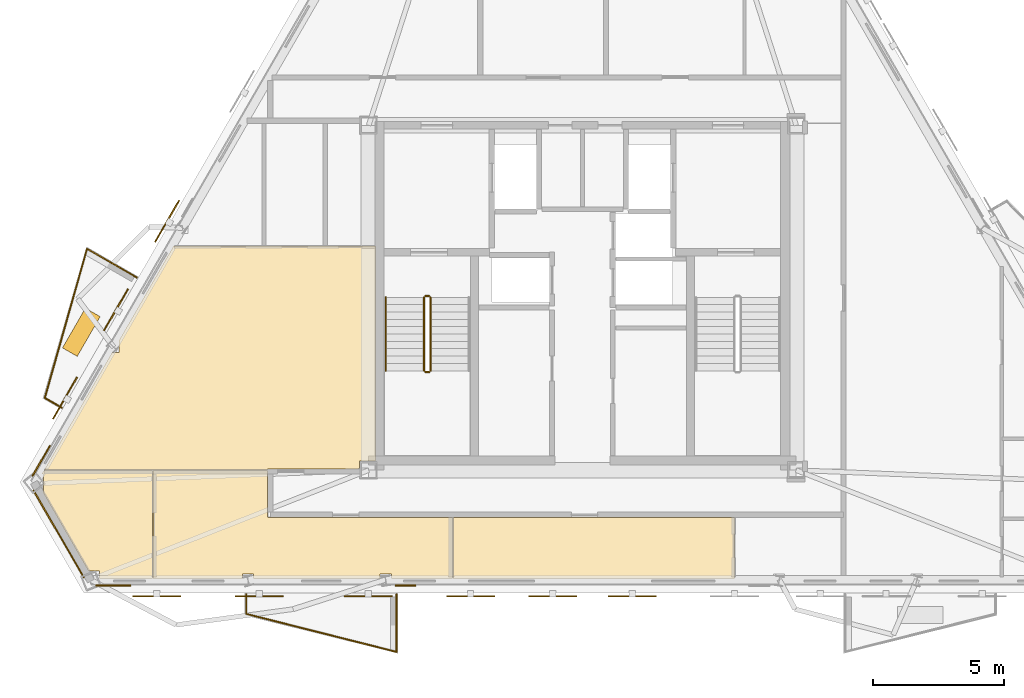
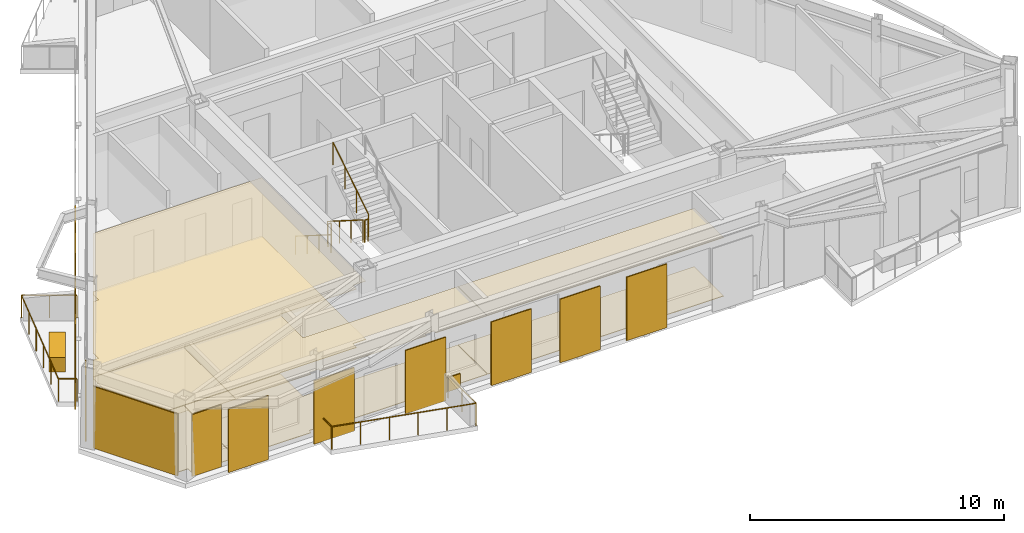
# One storey, part 7 of 9: 13 coverings, 11 railings, 9 shading devices.
"""IFC4 building model written with IfcOpenShell, lengths in metres."""

from ifc_helpers import new_model, si_unit, direction, frame, origin, origin_2d, place, context, subcontext, project, spatial, polyline, rectangle, circle, outline, extrude, material, layer, layer_set, type_object, element, save


model = new_model("IFC4")

# Units and contexts
model_context = context("Model", 3, precision=1e-05, world=origin(), true_north=direction((0.0, 1.0)))
body_context = subcontext(model_context, "Body", "Model", "MODEL_VIEW")
ifc_project = project(units=[si_unit("LENGTHUNIT", "METRE"), si_unit("AREAUNIT", "SQUARE_METRE"), si_unit("VOLUMEUNIT", "CUBIC_METRE"), si_unit("PLANEANGLEUNIT", "RADIAN"), si_unit("MASSUNIT", "GRAM", prefix="KILO")], contexts=[model_context])

# Site, building, storey
site_placement = place(None, origin())
site = spatial("IfcSite", under=ifc_project, at=site_placement, CompositionType="ELEMENT")
building_placement = place(site_placement, origin())
building = spatial("IfcBuilding", under=site, at=building_placement, Name="Oramaril Tower", CompositionType="ELEMENT")
storey_placement = place(building_placement, frame((0.0, 0.0, 285.0)))
storey = spatial("IfcBuildingStorey", under=building, at=storey_placement, Name="L75", CompositionType="ELEMENT", Elevation=285.0)

# Coverings
ifc_material_1 = material(Name="Mineral Fibre Acoustic Ceiling")
ifc_layer_1 = layer(ifc_material_1, 0.02001953125)
ifc_layer_set_1 = layer_set([ifc_layer_1], Name="CVT-CEIL")
covering_type_1 = type_object("IfcCoveringType", Name="CVT-CEIL", PredefinedType="CEILING", material=ifc_layer_set_1)
covering_1_placement = place(storey_placement, frame((0.0, 0.0, 2.81201171875)))
element("IfcCovering", 1, at=covering_1_placement, inside=storey, type_object=covering_type_1, Name="L75 Acoustic Suspended Ceiling 5", PredefinedType="CEILING", context=body_context, shape_type="SweptSolid", body=[
    extrude(outline(polyline([(32.5419921875, 6.877685546875), (30.210205078125, 6.877685546875), (30.210205078125, 7.033935546875), (29.788330078125, 7.033935546875), (29.788330078125, 6.877685546875), (24.962890625, 6.877685546875), (24.962890625, 7.033935546875), (24.53466796875, 7.033935546875), (24.53466796875, 6.877685546875), (21.124267578125, 6.877685546875), (21.124267578125, 10.991943359375), (25.5, 10.991943359375), (25.5, 9.219970703125), (25.5, 9.218017578125), (25.50048828125, 9.216064453125), (25.5009765625, 9.214111328125), (25.50146484375, 9.21240234375), (25.50244140625, 9.210693359375), (25.50341796875, 9.208984375), (25.50439453125, 9.207275390625), (25.505859375, 9.205810546875), (25.50732421875, 9.20458984375), (25.5087890625, 9.203369140625), (25.510498046875, 9.202392578125), (25.51220703125, 9.201416015625), (25.51416015625, 9.200927734375), (25.51611328125, 9.200439453125), (25.51806640625, 9.2001953125), (25.52001953125, 9.199951171875), (32.5419921875, 9.199951171875), (32.5419921875, 6.877685546875)])), origin(), (0.0, 0.0, 1.0), 0.02001953125),
])
covering_2_placement = place(storey_placement, frame((0.0, 0.0, 2.81201171875)))
element("IfcCovering", 2, at=covering_2_placement, inside=storey, type_object=covering_type_1, Name="L75 Acoustic Suspended Ceiling 6", PredefinedType="CEILING", context=body_context, shape_type="SweptSolid", body=[
    extrude(outline(polyline([(19.07958984375, 6.877685546875), (19.07958984375, 7.1474609375), (18.666259765625, 7.1474609375), (16.9228515625, 10.167236328125), (16.944091796875, 10.167236328125), (16.944091796875, 10.85546875), (16.89501953125, 10.85546875), (16.973876953125, 10.991943359375), (21.104248046875, 10.991943359375), (21.104248046875, 6.877685546875), (19.07958984375, 6.877685546875)])), origin(), (0.0, 0.0, 1.0), 0.02001953125),
])
covering_3_placement = place(storey_placement, frame((0.0, 0.0, 2.81201171875)))
element("IfcCovering", 3, at=covering_3_placement, inside=storey, type_object=covering_type_1, Name="L75 Acoustic Suspended Ceiling 7", PredefinedType="CEILING", context=body_context, shape_type="SweptSolid", body=[
    extrude(outline(polyline([(32.56201171875, 6.877685546875), (32.56201171875, 9.199951171875), (43.305908203125, 9.199951171875), (43.305908203125, 6.877685546875), (32.56201171875, 6.877685546875)])), origin(), (0.0, 0.0, 1.0), 0.02001953125),
])
covering_4_placement = place(storey_placement, frame((0.0, 0.0, 2.81201171875)))
element("IfcCovering", 4, at=covering_4_placement, inside=storey, type_object=covering_type_1, Name="L75 Acoustic Suspended Ceiling 9", PredefinedType="CEILING", context=body_context, shape_type="SweptSolid", body=[
    extrude(outline(polyline([(19.565185546875, 15.48046875), (19.832763671875, 15.48046875), (19.832763671875, 15.935546875), (19.827880859375, 15.935546875), (21.9140625, 19.548828125), (29.60009765625, 19.548828125), (29.60009765625, 11.344970703125), (29.0048828125, 11.344970703125), (29.0048828125, 11.050048828125), (25.52001953125, 11.050048828125), (25.51806640625, 11.0498046875), (25.51611328125, 11.049560546875), (25.51416015625, 11.049072265625), (25.51220703125, 11.048583984375), (25.510498046875, 11.047607421875), (25.5087890625, 11.046630859375), (25.50732421875, 11.04541015625), (25.505859375, 11.044189453125), (25.50439453125, 11.042724609375), (25.50341796875, 11.041015625), (25.50244140625, 11.039306640625), (25.50146484375, 11.03759765625), (25.5009765625, 11.035888671875), (25.50048828125, 11.033935546875), (25.5, 11.031982421875), (25.5, 11.030029296875), (25.5, 11.011962890625), (21.124267578125, 11.011962890625), (21.122314453125, 11.011962890625), (21.120361328125, 11.01171875), (21.118408203125, 11.010986328125), (21.11669921875, 11.010498046875), (21.114990234375, 11.009521484375), (21.1142578125, 11.00927734375), (21.11376953125, 11.009521484375), (21.112060546875, 11.010498046875), (21.110107421875, 11.010986328125), (21.108154296875, 11.01171875), (21.106201171875, 11.011962890625), (21.104248046875, 11.011962890625), (16.9853515625, 11.011962890625), (19.565185546875, 15.48046875)])), origin(), (0.0, 0.0, 1.0), 0.02001953125),
])
ifc_material_2 = material(Name="Warm Cream Limestone", Category="masonry")
ifc_layer_2 = layer(ifc_material_2, 0.050048828125)
ifc_layer_set_2 = layer_set([ifc_layer_2], Name="CVT-CLD")
covering_type_2 = type_object("IfcCoveringType", Name="CVT-CLD", PredefinedType="CLADDING", material=ifc_layer_set_2)
covering_5_placement = place(storey_placement, frame((17.527099609375, 8.568603515625, 0.0400390625), z_axis=(0.0, 0.0, 1.0), x_axis=(0.499984884929, -0.866034130299, 0.0)))
element("IfcCovering", 5, at=covering_5_placement, inside=storey, type_object=covering_type_2, Name="L75 Warm Cream Limestone Cladding", PredefinedType="CLADDING", context=body_context, shape_type="SweptSolid", body=[
    extrude(rectangle(XDim=3.848388671875, YDim=0.050048828125, at=origin_2d()), origin(), (0.0, 0.0, 1.0), 2.97802734375),
])
covering_6_placement = place(storey_placement, frame((19.609619140625, 6.601806640625, 0.0400390625), z_axis=(0.0, 0.0, 1.0), x_axis=(1.0, 0.0, 0.0)))
element("IfcCovering", 6, at=covering_6_placement, inside=storey, type_object=covering_type_2, Name="L75 Warm Cream Limestone Cladding", PredefinedType="CLADDING", context=body_context, shape_type="SweptSolid", body=[
    extrude(rectangle(XDim=1.35009765625, YDim=0.050048828125, at=origin_2d()), origin(), (0.0, 0.0, 1.0), 2.97802734375),
])
covering_7_placement = place(storey_placement, frame((30.75341796875, 6.601806640625, 0.0400390625), z_axis=(0.0, 0.0, 1.0), x_axis=(1.0, 0.0, 0.0)))
element("IfcCovering", 7, at=covering_7_placement, inside=storey, type_object=covering_type_2, Name="L75 Warm Cream Limestone Spandrel Cladding", PredefinedType="CLADDING", context=body_context, shape_type="SweptSolid", body=[
    extrude(rectangle(XDim=0.800048828125, YDim=0.050048828125, at=origin_2d()), origin(), (0.0, 0.0, 1.0), 0.679931640625),
])
covering_8_placement = place(storey_placement, frame((16.864990234375, 11.355712890625, 0.0400390625), z_axis=(0.0, 0.0, 1.0), x_axis=(-0.5, -0.866025403784, 0.0)))
element("IfcCovering", 8, at=covering_8_placement, inside=storey, type_object=covering_type_2, Name="L75 Warm Cream Limestone Cladding", PredefinedType="CLADDING", context=body_context, shape_type="SweptSolid", body=[
    extrude(rectangle(XDim=1.35009765625, YDim=0.050048828125, at=origin_2d()), origin(), (0.0, 0.0, 1.0), 2.97802734375),
])
covering_9_placement = place(storey_placement, frame((18.392333984375, 16.25830078125, 0.0), z_axis=(0.0, 0.0, 1.0), x_axis=(-0.500001511499, -0.866024531118, 0.0)))
element("IfcCovering", 9, at=covering_9_placement, inside=storey, type_object=covering_type_2, Name="L75 Structural Tree Planter Box L75-BAL-NW2", PredefinedType="CLADDING", context=body_context, shape_type="SweptSolid", body=[
    extrude(rectangle(XDim=1.75, YDim=0.64990234375, at=origin_2d()), origin(), (0.0, 0.0, 1.0), 0.699951171875),
])
ifc_material_3 = material(Name="Honed Quartzite Stone Flooring", Category="masonry")
ifc_layer_3 = layer(ifc_material_3, 0.02490234375)
ifc_layer_set_3 = layer_set([ifc_layer_3], Name="CVT-FLR")
covering_type_3 = type_object("IfcCoveringType", Name="CVT-FLR", PredefinedType="FLOORING", material=ifc_layer_set_3)
covering_10_placement = place(storey_placement, origin())
element("IfcCovering", 10, at=covering_10_placement, inside=storey, type_object=covering_type_3, Name="L75 Honed Stone Floor Finish 5", PredefinedType="FLOORING", context=body_context, shape_type="SweptSolid", body=[
    extrude(outline(polyline([(32.5419921875, 6.877685546875), (30.210205078125, 6.877685546875), (30.210205078125, 7.033935546875), (29.788330078125, 7.033935546875), (29.788330078125, 6.877685546875), (24.962890625, 6.877685546875), (24.962890625, 7.033935546875), (24.53466796875, 7.033935546875), (24.53466796875, 6.877685546875), (21.124267578125, 6.877685546875), (21.124267578125, 10.991943359375), (25.5, 10.991943359375), (25.5, 9.219970703125), (25.5, 9.218017578125), (25.50048828125, 9.216064453125), (25.5009765625, 9.214111328125), (25.50146484375, 9.21240234375), (25.50244140625, 9.210693359375), (25.50341796875, 9.208984375), (25.50439453125, 9.207275390625), (25.505859375, 9.205810546875), (25.50732421875, 9.20458984375), (25.5087890625, 9.203369140625), (25.510498046875, 9.202392578125), (25.51220703125, 9.201416015625), (25.51416015625, 9.200927734375), (25.51611328125, 9.200439453125), (25.51806640625, 9.2001953125), (25.52001953125, 9.199951171875), (32.5419921875, 9.199951171875), (32.5419921875, 6.877685546875)])), origin(), (0.0, 0.0, 1.0), 0.02490234375),
])
covering_11_placement = place(storey_placement, origin())
element("IfcCovering", 11, at=covering_11_placement, inside=storey, type_object=covering_type_3, Name="L75 Honed Stone Floor Finish 6", PredefinedType="FLOORING", context=body_context, shape_type="SweptSolid", body=[
    extrude(outline(polyline([(19.07958984375, 6.877685546875), (19.07958984375, 7.1474609375), (18.666259765625, 7.1474609375), (16.9228515625, 10.167236328125), (16.944091796875, 10.167236328125), (16.944091796875, 10.85546875), (16.89501953125, 10.85546875), (16.973876953125, 10.991943359375), (21.104248046875, 10.991943359375), (21.104248046875, 6.877685546875), (19.07958984375, 6.877685546875)])), origin(), (0.0, 0.0, 1.0), 0.02490234375),
])
covering_12_placement = place(storey_placement, origin())
element("IfcCovering", 12, at=covering_12_placement, inside=storey, type_object=covering_type_3, Name="L75 Honed Stone Floor Finish 7", PredefinedType="FLOORING", context=body_context, shape_type="SweptSolid", body=[
    extrude(outline(polyline([(32.56201171875, 6.877685546875), (32.56201171875, 9.199951171875), (43.305908203125, 9.199951171875), (43.305908203125, 6.877685546875), (32.56201171875, 6.877685546875)])), origin(), (0.0, 0.0, 1.0), 0.02490234375),
])
covering_13_placement = place(storey_placement, origin())
element("IfcCovering", 13, at=covering_13_placement, inside=storey, type_object=covering_type_3, Name="L75 Honed Stone Floor Finish 9", PredefinedType="FLOORING", context=body_context, shape_type="SweptSolid", body=[
    extrude(outline(polyline([(19.565185546875, 15.48046875), (19.832763671875, 15.48046875), (19.832763671875, 15.935546875), (19.827880859375, 15.935546875), (21.9140625, 19.548828125), (29.60009765625, 19.548828125), (29.60009765625, 11.344970703125), (29.0048828125, 11.344970703125), (29.0048828125, 11.050048828125), (25.52001953125, 11.050048828125), (25.51806640625, 11.0498046875), (25.51611328125, 11.049560546875), (25.51416015625, 11.049072265625), (25.51220703125, 11.048583984375), (25.510498046875, 11.047607421875), (25.5087890625, 11.046630859375), (25.50732421875, 11.04541015625), (25.505859375, 11.044189453125), (25.50439453125, 11.042724609375), (25.50341796875, 11.041015625), (25.50244140625, 11.039306640625), (25.50146484375, 11.03759765625), (25.5009765625, 11.035888671875), (25.50048828125, 11.033935546875), (25.5, 11.031982421875), (25.5, 11.030029296875), (25.5, 11.011962890625), (21.124267578125, 11.011962890625), (21.122314453125, 11.011962890625), (21.120361328125, 11.01171875), (21.118408203125, 11.010986328125), (21.11669921875, 11.010498046875), (21.114990234375, 11.009521484375), (21.1142578125, 11.00927734375), (21.11376953125, 11.009521484375), (21.112060546875, 11.010498046875), (21.110107421875, 11.010986328125), (21.108154296875, 11.01171875), (21.106201171875, 11.011962890625), (21.104248046875, 11.011962890625), (16.9853515625, 11.011962890625), (19.565185546875, 15.48046875)])), origin(), (0.0, 0.0, 1.0), 0.02490234375),
])

# Railings
ifc_material_4 = material(Name="Stainless Steel 316L", Category="steel")
railing_type_1 = type_object("IfcRailingType", Name="RLT-GRD", PredefinedType="GUARDRAIL", material=ifc_material_4)
railing_1_placement = place(storey_placement, frame((30.408935546875, 6.26171875, 0.0)))
element("IfcRailing", 14, at=railing_1_placement, inside=storey, type_object=railing_type_1, Name="L75 Balcony Guardrail L75-BAL-S1.1", PredefinedType="GUARDRAIL", context=body_context, shape_type="SweptSolid", body=[
    extrude(circle(Radius=0.02392578125, at=origin_2d()), frame((0.0, 0.0, 1.076171875), z_axis=(0.0, -1.0, 0.0), x_axis=(1.0, 0.0, 0.0)), (0.0, 0.0, 1.0), 2.192138671875),
    extrude(circle(Radius=0.02099609375, at=origin_2d()), origin(), (0.0, 0.0, 1.0), 1.052001953125),
    extrude(circle(Radius=0.02099609375, at=origin_2d()), frame((0.0, -1.09619140625, 0.0)), (0.0, 0.0, 1.0), 1.052001953125),
    extrude(circle(Radius=0.02099609375, at=origin_2d()), frame((0.0, -2.192138671875, 0.0)), (0.0, 0.0, 1.0), 1.052001953125),
])
railing_2_placement = place(storey_placement, frame((30.408935546875, 4.069580078125, 0.0)))
element("IfcRailing", 15, at=railing_2_placement, inside=storey, type_object=railing_type_1, Name="L75 Balcony Guardrail L75-BAL-S1.2", PredefinedType="GUARDRAIL", context=body_context, shape_type="SweptSolid", body=[
    extrude(circle(Radius=0.02392578125, at=origin_2d()), frame((0.0, 0.0, 1.076171875), z_axis=(-0.969433787338, 0.245353076131, 0.0), x_axis=(-0.245353076131, -0.969433787338, 0.0)), (0.0, 0.0, 1.0), 5.91064453125),
    extrude(circle(Radius=0.02099609375, at=origin_2d()), origin(), (0.0, 0.0, 1.0), 1.052001953125),
    extrude(circle(Radius=0.02099609375, at=origin_2d()), frame((-1.14599609375, 0.2900390625, 0.0)), (0.0, 0.0, 1.0), 1.052001953125),
    extrude(circle(Radius=0.02099609375, at=origin_2d()), frame((-2.2919921875, 0.580078125, 0.0)), (0.0, 0.0, 1.0), 1.052001953125),
    extrude(circle(Radius=0.02099609375, at=origin_2d()), frame((-3.43798828125, 0.8701171875, 0.0)), (0.0, 0.0, 1.0), 1.052001953125),
    extrude(circle(Radius=0.02099609375, at=origin_2d()), frame((-4.583984375, 1.16015625, 0.0)), (0.0, 0.0, 1.0), 1.052001953125),
    extrude(circle(Radius=0.02099609375, at=origin_2d()), frame((-5.72998046875, 1.4501953125, 0.0)), (0.0, 0.0, 1.0), 1.052001953125),
])
railing_3_placement = place(storey_placement, frame((24.678955078125, 5.519775390625, 0.0)))
element("IfcRailing", 16, at=railing_3_placement, inside=storey, type_object=railing_type_1, Name="L75 Balcony Guardrail L75-BAL-S1.3", PredefinedType="GUARDRAIL", context=body_context, shape_type="SweptSolid", body=[
    extrude(circle(Radius=0.02392578125, at=origin_2d()), frame((0.0, 0.0, 1.076171875), z_axis=(0.0, 1.0, 0.0), x_axis=(-1.0, 0.0, 0.0)), (0.0, 0.0, 1.0), 0.741943359375),
    extrude(circle(Radius=0.02099609375, at=origin_2d()), origin(), (0.0, 0.0, 1.0), 1.052001953125),
    extrude(circle(Radius=0.02099609375, at=origin_2d()), frame((0.0, 0.741943359375, 0.0)), (0.0, 0.0, 1.0), 1.052001953125),
])
railing_4_placement = place(storey_placement, frame((17.642578125, 13.3828125, 0.0)))
element("IfcRailing", 17, at=railing_4_placement, inside=storey, type_object=railing_type_1, Name="L75 Balcony Guardrail L75-BAL-NW2.1", PredefinedType="GUARDRAIL", context=body_context, shape_type="SweptSolid", body=[
    extrude(circle(Radius=0.02392578125, at=origin_2d()), frame((0.0, 0.0, 1.076171875), z_axis=(-0.865884080729, 0.500244698863, 0.0), x_axis=(-0.500244698863, -0.865884080729, 0.0)), (0.0, 0.0, 1.0), 0.741943359375),
    extrude(circle(Radius=0.02099609375, at=origin_2d()), origin(), (0.0, 0.0, 1.0), 1.052001953125),
    extrude(circle(Radius=0.02099609375, at=origin_2d()), frame((-0.642333984375, 0.37109375, 0.0)), (0.0, 0.0, 1.0), 1.052001953125),
])
railing_5_placement = place(storey_placement, frame((17.000244140625, 13.75390625, 0.0)))
element("IfcRailing", 18, at=railing_5_placement, inside=storey, type_object=railing_type_1, Name="L75 Balcony Guardrail L75-BAL-NW2.2", PredefinedType="GUARDRAIL", context=body_context, shape_type="SweptSolid", body=[
    extrude(circle(Radius=0.02392578125, at=origin_2d()), frame((0.0, 0.0, 1.076171875), z_axis=(0.272259686627, 0.962223811303, 0.0), x_axis=(-0.962223811303, 0.272259686627, 0.0)), (0.0, 0.0, 1.0), 5.910400390625),
    extrude(circle(Radius=0.02099609375, at=origin_2d()), origin(), (0.0, 0.0, 1.0), 1.052001953125),
    extrude(circle(Radius=0.02099609375, at=origin_2d()), frame((0.32177734375, 1.137451171875, 0.0)), (0.0, 0.0, 1.0), 1.052001953125),
    extrude(circle(Radius=0.02099609375, at=origin_2d()), frame((0.6435546875, 2.27490234375, 0.0)), (0.0, 0.0, 1.0), 1.052001953125),
    extrude(circle(Radius=0.02099609375, at=origin_2d()), frame((0.965576171875, 3.412109375, 0.0)), (0.0, 0.0, 1.0), 1.052001953125),
    extrude(circle(Radius=0.02099609375, at=origin_2d()), frame((1.287353515625, 4.549560546875, 0.0)), (0.0, 0.0, 1.0), 1.052001953125),
    extrude(circle(Radius=0.02099609375, at=origin_2d()), frame((1.609130859375, 5.68701171875, 0.0)), (0.0, 0.0, 1.0), 1.052001953125),
])
railing_6_placement = place(storey_placement, frame((18.609375, 19.44091796875, 0.0)))
element("IfcRailing", 19, at=railing_6_placement, inside=storey, type_object=railing_type_1, Name="L75 Balcony Guardrail L75-BAL-NW2.3", PredefinedType="GUARDRAIL", context=body_context, shape_type="SweptSolid", body=[
    extrude(circle(Radius=0.02392578125, at=origin_2d()), frame((0.0, 0.0, 1.076171875), z_axis=(0.866048343933, -0.499960264392, 0.0), x_axis=(0.499960264392, 0.866048343933, 0.0)), (0.0, 0.0, 1.0), 2.192138671875),
    extrude(circle(Radius=0.02099609375, at=origin_2d()), origin(), (0.0, 0.0, 1.0), 1.052001953125),
    extrude(circle(Radius=0.02099609375, at=origin_2d()), frame((0.94921875, -0.5478515625, 0.0)), (0.0, 0.0, 1.0), 1.052001953125),
    extrude(circle(Radius=0.02099609375, at=origin_2d()), frame((1.8984375, -1.095947265625, 0.0)), (0.0, 0.0, 1.0), 1.052001953125),
])
railing_7_placement = place(storey_placement, frame((31.4599609375, 17.590087890625, 0.17724609375)))
element("IfcRailing", 20, at=railing_7_placement, inside=storey, type_object=railing_type_1, Name="L75 ST-1 stair guard 1", PredefinedType="GUARDRAIL", context=body_context, shape_type="SweptSolid", body=[
    extrude(circle(Radius=0.02392578125, at=origin_2d()), frame((0.0, 0.0, 1.076171875), z_axis=(0.0, -0.844908973607, 0.534910110503), x_axis=(1.0, 0.0, 0.0)), (0.0, 0.0, 1.0), 3.31396484375),
    extrude(circle(Radius=0.02099609375, at=origin_2d()), origin(), (0.0, 0.0, 1.0), 1.052001953125),
    extrude(circle(Radius=0.02099609375, at=origin_2d()), frame((0.0, -0.933349609375, 0.5908203125)), (0.0, 0.0, 1.0), 1.052001953125),
    extrude(circle(Radius=0.02099609375, at=origin_2d()), frame((0.0, -1.86669921875, 1.181884765625)), (0.0, 0.0, 1.0), 1.052001953125),
    extrude(circle(Radius=0.02099609375, at=origin_2d()), frame((0.0, -2.800048828125, 1.772705078125)), (0.0, 0.0, 1.0), 1.052001953125),
])
railing_8_placement = place(storey_placement, frame((31.510009765625, 14.739990234375, 1.949951171875)))
element("IfcRailing", 21, at=railing_8_placement, inside=storey, type_object=railing_type_1, Name="L75 ST-1 stair guard 2", PredefinedType="GUARDRAIL", context=body_context, shape_type="SweptSolid", body=[
    extrude(circle(Radius=0.02392578125, at=origin_2d()), frame((0.0, 0.0, 1.076171875), z_axis=(1.0, 0.0, 0.0), x_axis=(0.0, 1.0, 0.0)), (0.0, 0.0, 1.0), 0.14990234375),
    extrude(circle(Radius=0.02099609375, at=origin_2d()), origin(), (0.0, 0.0, 1.0), 1.052001953125),
    extrude(circle(Radius=0.02099609375, at=origin_2d()), frame((0.14990234375, 0.0, 0.0)), (0.0, 0.0, 1.0), 1.052001953125),
])
railing_9_placement = place(storey_placement, frame((31.7099609375, 14.7900390625, 2.127197265625)))
element("IfcRailing", 22, at=railing_9_placement, inside=storey, type_object=railing_type_1, Name="L75 ST-1 stair guard 3", PredefinedType="GUARDRAIL", context=body_context, shape_type="SweptSolid", body=[
    extrude(circle(Radius=0.02392578125, at=origin_2d()), frame((0.0, 0.0, 1.076171875), z_axis=(0.0, 0.844908973607, 0.534910110503), x_axis=(-1.0, 0.0, 0.0)), (0.0, 0.0, 1.0), 3.31396484375),
    extrude(circle(Radius=0.02099609375, at=origin_2d()), origin(), (0.0, 0.0, 1.0), 1.052001953125),
    extrude(circle(Radius=0.02099609375, at=origin_2d()), frame((0.0, 0.933349609375, 0.5908203125)), (0.0, 0.0, 1.0), 1.052001953125),
    extrude(circle(Radius=0.02099609375, at=origin_2d()), frame((0.0, 1.86669921875, 1.181884765625)), (0.0, 0.0, 1.0), 1.052001953125),
    extrude(circle(Radius=0.02099609375, at=origin_2d()), frame((0.0, 2.800048828125, 1.772705078125)), (0.0, 0.0, 1.0), 1.052001953125),
])
railing_10_placement = place(storey_placement, frame((31.510009765625, 17.639892578125, 0.0)))
element("IfcRailing", 23, at=railing_10_placement, inside=storey, type_object=railing_type_1, Name="L75 ST-1 stair guard 4", PredefinedType="GUARDRAIL", context=body_context, shape_type="SweptSolid", body=[
    extrude(circle(Radius=0.02392578125, at=origin_2d()), frame((0.0, 0.0, 1.076171875), z_axis=(1.0, 0.0, 0.0), x_axis=(0.0, 1.0, 0.0)), (0.0, 0.0, 1.0), 0.14990234375),
    extrude(circle(Radius=0.02099609375, at=origin_2d()), origin(), (0.0, 0.0, 1.0), 1.052001953125),
    extrude(circle(Radius=0.02099609375, at=origin_2d()), frame((0.14990234375, 0.0, 0.0)), (0.0, 0.0, 1.0), 1.052001953125),
])
ifc_material_5 = material(Name="Stainless Steel 316L", Category="steel")
railing_type_2 = type_object("IfcRailingType", Name="RLT-HND", PredefinedType="HANDRAIL", material=ifc_material_5)
railing_11_placement = place(storey_placement, frame((30.0, 17.590087890625, 0.17724609375)))
element("IfcRailing", 24, at=railing_11_placement, inside=storey, type_object=railing_type_2, Name="L75 ST-1 stair handrail 1", PredefinedType="HANDRAIL", context=body_context, shape_type="SweptSolid", body=[
    extrude(circle(Radius=0.02392578125, at=origin_2d()), frame((0.0, 0.0, 0.8759765625), z_axis=(0.0, -0.844908973607, 0.534910110503), x_axis=(1.0, 0.0, 0.0)), (0.0, 0.0, 1.0), 3.31396484375),
    extrude(circle(Radius=0.02099609375, at=origin_2d()), origin(), (0.0, 0.0, 1.0), 0.851806640625),
    extrude(circle(Radius=0.02099609375, at=origin_2d()), frame((0.0, -0.933349609375, 0.5908203125)), (0.0, 0.0, 1.0), 0.851806640625),
    extrude(circle(Radius=0.02099609375, at=origin_2d()), frame((0.0, -1.86669921875, 1.181884765625)), (0.0, 0.0, 1.0), 0.851806640625),
    extrude(circle(Radius=0.02099609375, at=origin_2d()), frame((0.0, -2.800048828125, 1.772705078125)), (0.0, 0.0, 1.0), 0.851806640625),
])

# Shading devices
for number, where, z_axis, x_axis, name in (
    (25, (21.273681640625, 6.189697265625, -0.02001953125), (0.0, 0.0, 1.0), (1.0, 0.0, 0.0), "L75 Perforated Ceramic Solar Screen"),
    (26, (25.173583984375, 6.189697265625, -0.02001953125), (0.0, 0.0, 1.0), (1.0, 0.0, 0.0), "L75 Perforated Ceramic Solar Screen"),
    (27, (29.33544921875, 6.189697265625, -0.02001953125), (0.0, 0.0, 1.0), (1.0, 0.0, 0.0), "L75 Perforated Ceramic Solar Screen"),
    (28, (33.235595703125, 6.189697265625, -0.02001953125), (0.0, 0.0, 1.0), (1.0, 0.0, 0.0), "L75 Perforated Ceramic Solar Screen"),
    (29, (36.364990234375, 6.189697265625, -0.02001953125), (0.0, 0.0, 1.0), (1.0, 0.0, 0.0), "L75 Perforated Ceramic Solar Screen"),
    (30, (39.399169921875, 6.189697265625, -0.02001953125), (0.0, 0.0, 1.0), (1.0, 0.0, 0.0), "L75 Perforated Ceramic Solar Screen"),
    (31, (17.771484375, 13.75, -0.02001953125), (0.0, 0.0, 1.0), (-0.5, -0.866025403784, 0.0), "L75 Perforated Ceramic Solar Screen"),
    (32, (21.6650390625, 20.493408203125, -0.02001953125), (0.0, 0.0, 1.0), (-0.5, -0.866025403784, 0.0), "L75 Perforated Ceramic Solar Screen"),
    (33, (19.715087890625, 17.115966796875, -0.02001953125), (0.0, 0.0, 1.0), (-0.5, -0.866025403784, 0.0), "L75 Perforated Ceramic Solar Screen"),
):
    element("IfcShadingDevice", number, at=place(storey_placement, frame(where, z_axis=z_axis, x_axis=x_axis)), inside=storey, Name=name, ObjectType="SCREEN", PredefinedType="USERDEFINED", context=body_context, shape_type="SweptSolid", body=[
        extrude(rectangle(XDim=1.8330078125, YDim=0.050048828125, at=origin_2d()), origin(), (0.0, 0.0, 1.0), 3.05810546875),
    ])

save(model, "model.ifc")
